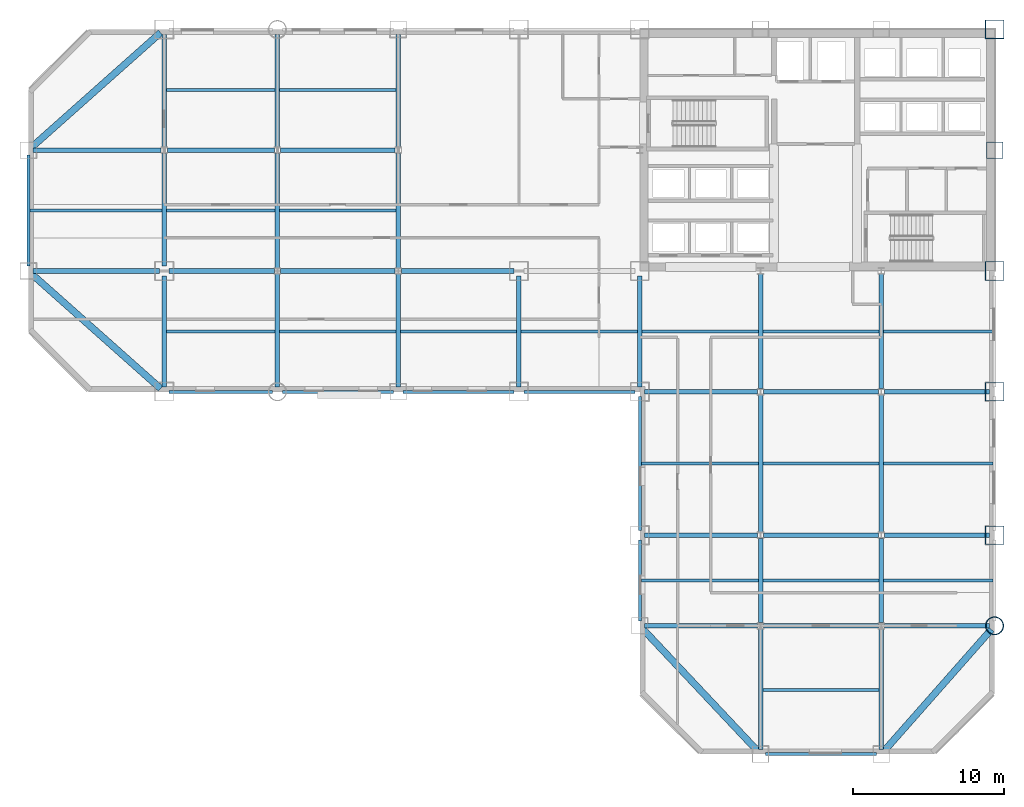
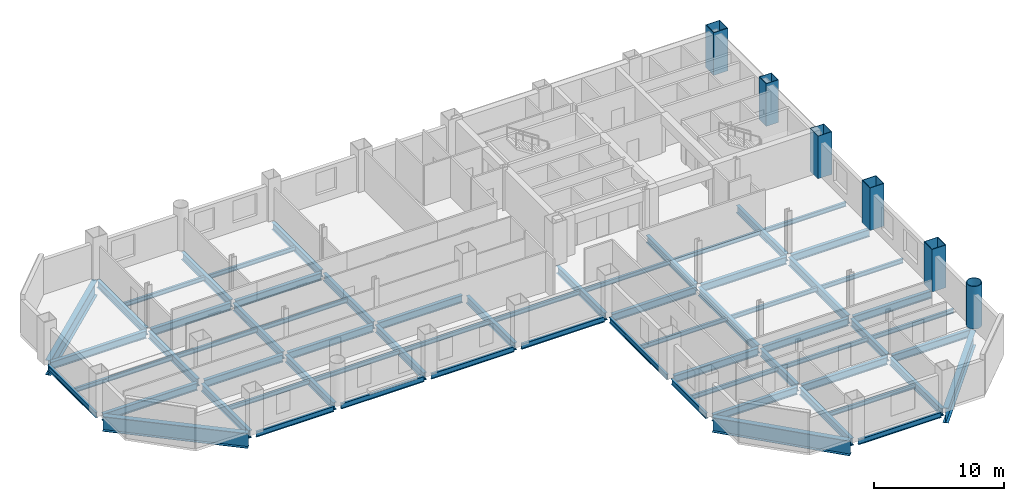
# One storey, part 3 of 9: 66 beams, 6 columns.
"""IFC4 building model written with IfcOpenShell, lengths in metres."""

from ifc_helpers import new_model, si_unit, direction, frame, origin, origin_2d, place, context, subcontext, project, spatial, hollow_rectangle, hollow_circle, i_section, extrude, material, material_profile, profile_set, type_object, element, save


model = new_model("IFC4")

# Units and contexts
model_context = context("Model", 3, precision=1e-05, world=origin(), true_north=direction((0.0, 1.0)))
body_context = subcontext(model_context, "Body", "Model", "MODEL_VIEW")
ifc_project = project(units=[si_unit("LENGTHUNIT", "METRE"), si_unit("AREAUNIT", "SQUARE_METRE"), si_unit("VOLUMEUNIT", "CUBIC_METRE"), si_unit("PLANEANGLEUNIT", "RADIAN"), si_unit("MASSUNIT", "GRAM", prefix="KILO")], contexts=[model_context])

# Site, building, storey
site_placement = place(None, origin())
site = spatial("IfcSite", under=ifc_project, at=site_placement, CompositionType="ELEMENT")
building_placement = place(site_placement, origin())
building = spatial("IfcBuilding", under=site, at=building_placement, Name="Qianrong Seaharbour Tower", CompositionType="ELEMENT")
storey_placement = place(building_placement, frame((0.0, 0.0, 44.199951171875)))
storey = spatial("IfcBuildingStorey", under=building, at=storey_placement, Name="L10", CompositionType="ELEMENT", Elevation=44.199951171875)

# Columns
ifc_material_1 = material(Name="Structural steel SN490B", Category="steel")
ifc_material_profile_1 = material_profile(ifc_material_1, hollow_rectangle(XDim=1.25, YDim=1.25, WallThickness=0.044921875, at=origin_2d()), Name="BOX1250x1250x45")
ifc_profile_set_1 = profile_set([ifc_material_profile_1], Name="Structural steel SN490B")
column_type_1 = type_object("IfcColumnType", Name="COL-CFT-1250", PredefinedType="COLUMN", material=ifc_profile_set_1)
for number, where, z_axis, x_axis, name in (
    (1, (64.0, 18.5, 0.0), (0.0, 0.0, 1.0), (1.0, 0.0, 0.0), "L10 Column MC-2 at G9/GD"),
    (2, (64.0, 28.0, 0.0), (0.0, 0.0, 1.0), (1.0, 0.0, 0.0), "L10 Column MC-2 at G9/GE"),
    (3, (64.0, 36.0, 0.0), (0.0, 0.0, 1.0), (1.0, 0.0, 0.0), "L10 Column MC-2 at G9/GF"),
    (4, (64.0, 52.0, 0.0), (0.0, 0.0, 1.0), (1.0, 0.0, 0.0), "L10 Column MC-2 at G9/GH"),
):
    element("IfcColumn", number, at=place(storey_placement, frame(where, z_axis=z_axis, x_axis=x_axis)), inside=storey, type_object=column_type_1, Name=name, PredefinedType="COLUMN", context=body_context, shape_type="SweptSolid", body=[
        extrude(hollow_rectangle(XDim=1.25, YDim=1.25, WallThickness=0.044921875, at=origin_2d()), origin(), (0.0, 0.0, 1.0), 4.0),
    ])
ifc_material_profile_2 = material_profile(ifc_material_1, hollow_circle(Radius=0.60009765625, WallThickness=0.0400390625, at=origin_2d()), Name="CHS1200x40")
ifc_profile_set_2 = profile_set([ifc_material_profile_2], Name="Structural steel SN490B")
column_type_2 = type_object("IfcColumnType", Name="COL-CHS-1200", PredefinedType="COLUMN", material=ifc_profile_set_2)
column_1_placement = place(storey_placement, frame((64.0, 12.5, 0.0), z_axis=(0.0, 0.0, 1.0), x_axis=(1.0, 0.0, 0.0)))
element("IfcColumn", 5, at=column_1_placement, inside=storey, type_object=column_type_2, Name="L10 Column CC-1 at G9/GC", PredefinedType="COLUMN", context=body_context, shape_type="SweptSolid", body=[
    extrude(hollow_circle(Radius=0.60009765625, WallThickness=0.0400390625, at=origin_2d()), origin(), (0.0, 0.0, 1.0), 4.0),
])
ifc_material_profile_3 = material_profile(ifc_material_1, hollow_rectangle(XDim=1.10009765625, YDim=1.10009765625, WallThickness=0.0400390625, at=origin_2d()), Name="BOX1100x1100x40")
ifc_profile_set_3 = profile_set([ifc_material_profile_3], Name="Structural steel SN490B")
column_type_3 = type_object("IfcColumnType", Name="COL-PER-1100", PredefinedType="COLUMN", material=ifc_profile_set_3)
column_2_placement = place(storey_placement, frame((64.0, 44.0, 0.0), z_axis=(0.0, 0.0, 1.0), x_axis=(1.0, 0.0, 0.0)))
element("IfcColumn", 6, at=column_2_placement, inside=storey, type_object=column_type_3, Name="L10 Column PC-1 at G9/GG", PredefinedType="COLUMN", context=body_context, shape_type="SweptSolid", body=[
    extrude(hollow_rectangle(XDim=1.10009765625, YDim=1.10009765625, WallThickness=0.0400390625, at=origin_2d()), origin(), (0.0, 0.0, 1.0), 4.0),
])

# Beams
ifc_material_profile_4 = material_profile(ifc_material_1, i_section(OverallWidth=0.300048828125, OverallDepth=0.699951171875, WebThickness=0.012939453125, FlangeThickness=0.02392578125, FilletRadius=0.02587890625, at=origin_2d()), Name="H700x300x13x24")
ifc_profile_set_4 = profile_set([ifc_material_profile_4], Name="Structural steel SN490B")
beam_type_1 = type_object("IfcBeamType", Name="BM-G-700", PredefinedType="BEAM", material=ifc_profile_set_4)
beam_1_placement = place(storey_placement, frame((40.820068359375, 12.5, -0.599853515625), z_axis=(1.0, 0.0, 0.0), x_axis=(0.0, 1.0, 0.0)))
element("IfcBeam", 7, at=beam_1_placement, inside=storey, type_object=beam_type_1, Name="L10 Primary Girder GC G6-G7", PredefinedType="BEAM", context=body_context, shape_type="SweptSolid", body=[
    extrude(i_section(OverallWidth=0.300048828125, OverallDepth=0.699951171875, WebThickness=0.012939453125, FlangeThickness=0.02392578125, FilletRadius=0.02587890625, at=origin_2d()), origin(), (0.0, 0.0, 1.0), 7.476318359375),
])
beam_2_placement = place(storey_placement, frame((48.70361328125, 12.5, -0.599853515625), z_axis=(1.0, 0.0, 0.0), x_axis=(0.0, 1.0, 0.0)))
element("IfcBeam", 8, at=beam_2_placement, inside=storey, type_object=beam_type_1, Name="L10 Primary Girder GC G7-G8", PredefinedType="BEAM", context=body_context, shape_type="SweptSolid", body=[
    extrude(i_section(OverallWidth=0.300048828125, OverallDepth=0.699951171875, WebThickness=0.012939453125, FlangeThickness=0.02392578125, FilletRadius=0.02587890625, at=origin_2d()), origin(), (0.0, 0.0, 1.0), 7.5927734375),
])
beam_3_placement = place(storey_placement, frame((56.70361328125, 12.5, -0.599853515625), z_axis=(1.0, 0.0, 0.0), x_axis=(0.0, 1.0, 0.0)))
element("IfcBeam", 9, at=beam_3_placement, inside=storey, type_object=beam_type_1, Name="L10 Primary Girder GC G8-G9", PredefinedType="BEAM", context=body_context, shape_type="SweptSolid", body=[
    extrude(i_section(OverallWidth=0.300048828125, OverallDepth=0.699951171875, WebThickness=0.012939453125, FlangeThickness=0.02392578125, FilletRadius=0.02587890625, at=origin_2d()), origin(), (0.0, 0.0, 1.0), 6.976318359375),
])
beam_4_placement = place(storey_placement, frame((40.820068359375, 18.5, -0.599853515625), z_axis=(1.0, 0.0, 0.0), x_axis=(0.0, 1.0, 0.0)))
element("IfcBeam", 10, at=beam_4_placement, inside=storey, type_object=beam_type_1, Name="L10 Primary Girder GD G6-G7", PredefinedType="BEAM", context=body_context, shape_type="SweptSolid", body=[
    extrude(i_section(OverallWidth=0.300048828125, OverallDepth=0.699951171875, WebThickness=0.012939453125, FlangeThickness=0.02392578125, FilletRadius=0.02587890625, at=origin_2d()), origin(), (0.0, 0.0, 1.0), 7.476318359375),
])
beam_5_placement = place(storey_placement, frame((48.70361328125, 18.5, -0.599853515625), z_axis=(1.0, 0.0, 0.0), x_axis=(0.0, 1.0, 0.0)))
element("IfcBeam", 11, at=beam_5_placement, inside=storey, type_object=beam_type_1, Name="L10 Primary Girder GD G7-G8", PredefinedType="BEAM", context=body_context, shape_type="SweptSolid", body=[
    extrude(i_section(OverallWidth=0.300048828125, OverallDepth=0.699951171875, WebThickness=0.012939453125, FlangeThickness=0.02392578125, FilletRadius=0.02587890625, at=origin_2d()), origin(), (0.0, 0.0, 1.0), 7.5927734375),
])
beam_6_placement = place(storey_placement, frame((56.70361328125, 18.5, -0.599853515625), z_axis=(1.0, 0.0, 0.0), x_axis=(0.0, 1.0, 0.0)))
element("IfcBeam", 12, at=beam_6_placement, inside=storey, type_object=beam_type_1, Name="L10 Primary Girder GD G8-G9", PredefinedType="BEAM", context=body_context, shape_type="SweptSolid", body=[
    extrude(i_section(OverallWidth=0.300048828125, OverallDepth=0.699951171875, WebThickness=0.012939453125, FlangeThickness=0.02392578125, FilletRadius=0.02587890625, at=origin_2d()), origin(), (0.0, 0.0, 1.0), 6.976318359375),
])
beam_7_placement = place(storey_placement, frame((40.820068359375, 28.0, -0.599853515625), z_axis=(1.0, 0.0, 0.0), x_axis=(0.0, 1.0, 0.0)))
element("IfcBeam", 13, at=beam_7_placement, inside=storey, type_object=beam_type_1, Name="L10 Primary Girder GE G6-G7", PredefinedType="BEAM", context=body_context, shape_type="SweptSolid", body=[
    extrude(i_section(OverallWidth=0.300048828125, OverallDepth=0.699951171875, WebThickness=0.012939453125, FlangeThickness=0.02392578125, FilletRadius=0.02587890625, at=origin_2d()), origin(), (0.0, 0.0, 1.0), 7.476318359375),
])
beam_8_placement = place(storey_placement, frame((48.70361328125, 28.0, -0.599853515625), z_axis=(1.0, 0.0, 0.0), x_axis=(0.0, 1.0, 0.0)))
element("IfcBeam", 14, at=beam_8_placement, inside=storey, type_object=beam_type_1, Name="L10 Primary Girder GE G7-G8", PredefinedType="BEAM", context=body_context, shape_type="SweptSolid", body=[
    extrude(i_section(OverallWidth=0.300048828125, OverallDepth=0.699951171875, WebThickness=0.012939453125, FlangeThickness=0.02392578125, FilletRadius=0.02587890625, at=origin_2d()), origin(), (0.0, 0.0, 1.0), 7.5927734375),
])
beam_9_placement = place(storey_placement, frame((56.70361328125, 28.0, -0.599853515625), z_axis=(1.0, 0.0, 0.0), x_axis=(0.0, 1.0, 0.0)))
element("IfcBeam", 15, at=beam_9_placement, inside=storey, type_object=beam_type_1, Name="L10 Primary Girder GE G8-G9", PredefinedType="BEAM", context=body_context, shape_type="SweptSolid", body=[
    extrude(i_section(OverallWidth=0.300048828125, OverallDepth=0.699951171875, WebThickness=0.012939453125, FlangeThickness=0.02392578125, FilletRadius=0.02587890625, at=origin_2d()), origin(), (0.0, 0.0, 1.0), 6.976318359375),
])
beam_10_placement = place(storey_placement, frame((0.320068359375, 36.0, -0.599853515625), z_axis=(1.0, 0.0, 0.0), x_axis=(0.0, 1.0, 0.0)))
element("IfcBeam", 16, at=beam_10_placement, inside=storey, type_object=beam_type_1, Name="L10 Primary Girder GF G1-G2", PredefinedType="BEAM", context=body_context, shape_type="SweptSolid", body=[
    extrude(i_section(OverallWidth=0.300048828125, OverallDepth=0.699951171875, WebThickness=0.012939453125, FlangeThickness=0.02392578125, FilletRadius=0.02587890625, at=origin_2d()), origin(), (0.0, 0.0, 1.0), 8.35986328125),
])
beam_11_placement = place(storey_placement, frame((9.320068359375, 36.0, -0.599853515625), z_axis=(1.0, 0.0, 0.0), x_axis=(0.0, 1.0, 0.0)))
element("IfcBeam", 17, at=beam_11_placement, inside=storey, type_object=beam_type_1, Name="L10 Primary Girder GF G2-G3", PredefinedType="BEAM", context=body_context, shape_type="SweptSolid", body=[
    extrude(i_section(OverallWidth=0.300048828125, OverallDepth=0.699951171875, WebThickness=0.012939453125, FlangeThickness=0.02392578125, FilletRadius=0.02587890625, at=origin_2d()), origin(), (0.0, 0.0, 1.0), 6.976318359375),
])
beam_12_placement = place(storey_placement, frame((16.70361328125, 36.0, -0.599853515625), z_axis=(1.0, 0.0, 0.0), x_axis=(0.0, 1.0, 0.0)))
element("IfcBeam", 18, at=beam_12_placement, inside=storey, type_object=beam_type_1, Name="L10 Primary Girder GF G3-G4", PredefinedType="BEAM", context=body_context, shape_type="SweptSolid", body=[
    extrude(i_section(OverallWidth=0.300048828125, OverallDepth=0.699951171875, WebThickness=0.012939453125, FlangeThickness=0.02392578125, FilletRadius=0.02587890625, at=origin_2d()), origin(), (0.0, 0.0, 1.0), 7.5927734375),
])
beam_13_placement = place(storey_placement, frame((24.70361328125, 36.0, -0.599853515625), z_axis=(1.0, 0.0, 0.0), x_axis=(0.0, 1.0, 0.0)))
element("IfcBeam", 19, at=beam_13_placement, inside=storey, type_object=beam_type_1, Name="L10 Primary Girder GF G4-G5", PredefinedType="BEAM", context=body_context, shape_type="SweptSolid", body=[
    extrude(i_section(OverallWidth=0.300048828125, OverallDepth=0.699951171875, WebThickness=0.012939453125, FlangeThickness=0.02392578125, FilletRadius=0.02587890625, at=origin_2d()), origin(), (0.0, 0.0, 1.0), 7.476318359375),
])
beam_14_placement = place(storey_placement, frame((0.320068359375, 44.0, -0.599853515625), z_axis=(1.0, 0.0, 0.0), x_axis=(0.0, 1.0, 0.0)))
element("IfcBeam", 20, at=beam_14_placement, inside=storey, type_object=beam_type_1, Name="L10 Primary Girder GG G1-G2", PredefinedType="BEAM", context=body_context, shape_type="SweptSolid", body=[
    extrude(i_section(OverallWidth=0.300048828125, OverallDepth=0.699951171875, WebThickness=0.012939453125, FlangeThickness=0.02392578125, FilletRadius=0.02587890625, at=origin_2d()), origin(), (0.0, 0.0, 1.0), 8.476318359375),
])
beam_15_placement = place(storey_placement, frame((9.20361328125, 44.0, -0.599853515625), z_axis=(1.0, 0.0, 0.0), x_axis=(0.0, 1.0, 0.0)))
element("IfcBeam", 21, at=beam_15_placement, inside=storey, type_object=beam_type_1, Name="L10 Primary Girder GG G2-G3", PredefinedType="BEAM", context=body_context, shape_type="SweptSolid", body=[
    extrude(i_section(OverallWidth=0.300048828125, OverallDepth=0.699951171875, WebThickness=0.012939453125, FlangeThickness=0.02392578125, FilletRadius=0.02587890625, at=origin_2d()), origin(), (0.0, 0.0, 1.0), 7.0927734375),
])
beam_16_placement = place(storey_placement, frame((16.70361328125, 44.0, -0.599853515625), z_axis=(1.0, 0.0, 0.0), x_axis=(0.0, 1.0, 0.0)))
element("IfcBeam", 22, at=beam_16_placement, inside=storey, type_object=beam_type_1, Name="L10 Primary Girder GG G3-G4", PredefinedType="BEAM", context=body_context, shape_type="SweptSolid", body=[
    extrude(i_section(OverallWidth=0.300048828125, OverallDepth=0.699951171875, WebThickness=0.012939453125, FlangeThickness=0.02392578125, FilletRadius=0.02587890625, at=origin_2d()), origin(), (0.0, 0.0, 1.0), 7.5927734375),
])
beam_17_placement = place(storey_placement, frame((9.0, 28.320068359375, -0.599853515625), z_axis=(0.0, 1.0, 0.0), x_axis=(-1.0, 0.0, 0.0)))
element("IfcBeam", 23, at=beam_17_placement, inside=storey, type_object=beam_type_1, Name="L10 Primary Girder G2 GE-GF", PredefinedType="BEAM", context=body_context, shape_type="SweptSolid", body=[
    extrude(i_section(OverallWidth=0.300048828125, OverallDepth=0.699951171875, WebThickness=0.012939453125, FlangeThickness=0.02392578125, FilletRadius=0.02587890625, at=origin_2d()), origin(), (0.0, 0.0, 1.0), 7.35986328125),
])
for number, where, z_axis, x_axis, name in (
    (24, (9.0, 36.320068359375, -0.599853515625), (0.0, 1.0, 0.0), (-1.0, 0.0, 0.0), "L10 Primary Girder G2 GF-GG"),
    (25, (9.0, 44.214111328125, -0.599853515625), (0.0, 1.0, 0.0), (-1.0, 0.0, 0.0), "L10 Primary Girder G2 GG-GH"),
    (26, (16.5, 28.320068359375, -0.599853515625), (0.0, 1.0, 0.0), (-1.0, 0.0, 0.0), "L10 Primary Girder G3 GE-GF"),
):
    element("IfcBeam", number, at=place(storey_placement, frame(where, z_axis=z_axis, x_axis=x_axis)), inside=storey, type_object=beam_type_1, Name=name, PredefinedType="BEAM", context=body_context, shape_type="SweptSolid", body=[
        extrude(i_section(OverallWidth=0.300048828125, OverallDepth=0.699951171875, WebThickness=0.012939453125, FlangeThickness=0.02392578125, FilletRadius=0.02587890625, at=origin_2d()), origin(), (0.0, 0.0, 1.0), 7.4658203125),
    ])
beam_18_placement = place(storey_placement, frame((16.5, 36.214111328125, -0.599853515625), z_axis=(0.0, 1.0, 0.0), x_axis=(-1.0, 0.0, 0.0)))
element("IfcBeam", 27, at=beam_18_placement, inside=storey, type_object=beam_type_1, Name="L10 Primary Girder G3 GF-GG", PredefinedType="BEAM", context=body_context, shape_type="SweptSolid", body=[
    extrude(i_section(OverallWidth=0.300048828125, OverallDepth=0.699951171875, WebThickness=0.012939453125, FlangeThickness=0.02392578125, FilletRadius=0.02587890625, at=origin_2d()), origin(), (0.0, 0.0, 1.0), 7.57177734375),
])
for number, where, z_axis, x_axis, name in (
    (28, (16.5, 44.214111328125, -0.599853515625), (0.0, 1.0, 0.0), (-1.0, 0.0, 0.0), "L10 Primary Girder G3 GG-GH"),
    (29, (24.5, 28.320068359375, -0.599853515625), (0.0, 1.0, 0.0), (-1.0, 0.0, 0.0), "L10 Primary Girder G4 GE-GF"),
):
    element("IfcBeam", number, at=place(storey_placement, frame(where, z_axis=z_axis, x_axis=x_axis)), inside=storey, type_object=beam_type_1, Name=name, PredefinedType="BEAM", context=body_context, shape_type="SweptSolid", body=[
        extrude(i_section(OverallWidth=0.300048828125, OverallDepth=0.699951171875, WebThickness=0.012939453125, FlangeThickness=0.02392578125, FilletRadius=0.02587890625, at=origin_2d()), origin(), (0.0, 0.0, 1.0), 7.4658203125),
    ])
beam_19_placement = place(storey_placement, frame((24.5, 36.214111328125, -0.599853515625), z_axis=(0.0, 1.0, 0.0), x_axis=(-1.0, 0.0, 0.0)))
element("IfcBeam", 30, at=beam_19_placement, inside=storey, type_object=beam_type_1, Name="L10 Primary Girder G4 GF-GG", PredefinedType="BEAM", context=body_context, shape_type="SweptSolid", body=[
    extrude(i_section(OverallWidth=0.300048828125, OverallDepth=0.699951171875, WebThickness=0.012939453125, FlangeThickness=0.02392578125, FilletRadius=0.02587890625, at=origin_2d()), origin(), (0.0, 0.0, 1.0), 7.57177734375),
])
beam_20_placement = place(storey_placement, frame((24.5, 44.214111328125, -0.599853515625), z_axis=(0.0, 1.0, 0.0), x_axis=(-1.0, 0.0, 0.0)))
element("IfcBeam", 31, at=beam_20_placement, inside=storey, type_object=beam_type_1, Name="L10 Primary Girder G4 GG-GH", PredefinedType="BEAM", context=body_context, shape_type="SweptSolid", body=[
    extrude(i_section(OverallWidth=0.300048828125, OverallDepth=0.699951171875, WebThickness=0.012939453125, FlangeThickness=0.02392578125, FilletRadius=0.02587890625, at=origin_2d()), origin(), (0.0, 0.0, 1.0), 7.4658203125),
])
for number, where, z_axis, x_axis, name in (
    (32, (32.5, 28.320068359375, -0.599853515625), (0.0, 1.0, 0.0), (-1.0, 0.0, 0.0), "L10 Primary Girder G5 GE-GF"),
    (33, (40.5, 28.320068359375, -0.599853515625), (0.0, 1.0, 0.0), (-1.0, 0.0, 0.0), "L10 Primary Girder G6 GE-GF"),
):
    element("IfcBeam", number, at=place(storey_placement, frame(where, z_axis=z_axis, x_axis=x_axis)), inside=storey, type_object=beam_type_1, Name=name, PredefinedType="BEAM", context=body_context, shape_type="SweptSolid", body=[
        extrude(i_section(OverallWidth=0.300048828125, OverallDepth=0.699951171875, WebThickness=0.012939453125, FlangeThickness=0.02392578125, FilletRadius=0.02587890625, at=origin_2d()), origin(), (0.0, 0.0, 1.0), 7.35986328125),
    ])
beam_21_placement = place(storey_placement, frame((48.5, 4.320068359375, -0.599853515625), z_axis=(0.0, 1.0, 0.0), x_axis=(-1.0, 0.0, 0.0)))
element("IfcBeam", 34, at=beam_21_placement, inside=storey, type_object=beam_type_1, Name="L10 Primary Girder G7 GB-GC", PredefinedType="BEAM", context=body_context, shape_type="SweptSolid", body=[
    extrude(i_section(OverallWidth=0.300048828125, OverallDepth=0.699951171875, WebThickness=0.012939453125, FlangeThickness=0.02392578125, FilletRadius=0.02587890625, at=origin_2d()), origin(), (0.0, 0.0, 1.0), 7.9658203125),
])
beam_22_placement = place(storey_placement, frame((48.5, 12.714111328125, -0.599853515625), z_axis=(0.0, 1.0, 0.0), x_axis=(-1.0, 0.0, 0.0)))
element("IfcBeam", 35, at=beam_22_placement, inside=storey, type_object=beam_type_1, Name="L10 Primary Girder G7 GC-GD", PredefinedType="BEAM", context=body_context, shape_type="SweptSolid", body=[
    extrude(i_section(OverallWidth=0.300048828125, OverallDepth=0.699951171875, WebThickness=0.012939453125, FlangeThickness=0.02392578125, FilletRadius=0.02587890625, at=origin_2d()), origin(), (0.0, 0.0, 1.0), 5.57177734375),
])
beam_23_placement = place(storey_placement, frame((48.5, 28.214111328125, -0.599853515625), z_axis=(0.0, 1.0, 0.0), x_axis=(-1.0, 0.0, 0.0)))
element("IfcBeam", 36, at=beam_23_placement, inside=storey, type_object=beam_type_1, Name="L10 Primary Girder G7 GE-GF", PredefinedType="BEAM", context=body_context, shape_type="SweptSolid", body=[
    extrude(i_section(OverallWidth=0.300048828125, OverallDepth=0.699951171875, WebThickness=0.012939453125, FlangeThickness=0.02392578125, FilletRadius=0.02587890625, at=origin_2d()), origin(), (0.0, 0.0, 1.0), 7.57177734375),
])
beam_24_placement = place(storey_placement, frame((56.5, 4.320068359375, -0.599853515625), z_axis=(0.0, 1.0, 0.0), x_axis=(-1.0, 0.0, 0.0)))
element("IfcBeam", 37, at=beam_24_placement, inside=storey, type_object=beam_type_1, Name="L10 Primary Girder G8 GB-GC", PredefinedType="BEAM", context=body_context, shape_type="SweptSolid", body=[
    extrude(i_section(OverallWidth=0.300048828125, OverallDepth=0.699951171875, WebThickness=0.012939453125, FlangeThickness=0.02392578125, FilletRadius=0.02587890625, at=origin_2d()), origin(), (0.0, 0.0, 1.0), 7.9658203125),
])
beam_25_placement = place(storey_placement, frame((56.5, 12.714111328125, -0.599853515625), z_axis=(0.0, 1.0, 0.0), x_axis=(-1.0, 0.0, 0.0)))
element("IfcBeam", 38, at=beam_25_placement, inside=storey, type_object=beam_type_1, Name="L10 Primary Girder G8 GC-GD", PredefinedType="BEAM", context=body_context, shape_type="SweptSolid", body=[
    extrude(i_section(OverallWidth=0.300048828125, OverallDepth=0.699951171875, WebThickness=0.012939453125, FlangeThickness=0.02392578125, FilletRadius=0.02587890625, at=origin_2d()), origin(), (0.0, 0.0, 1.0), 5.57177734375),
])
beam_26_placement = place(storey_placement, frame((56.5, 28.214111328125, -0.599853515625), z_axis=(0.0, 1.0, 0.0), x_axis=(-1.0, 0.0, 0.0)))
element("IfcBeam", 39, at=beam_26_placement, inside=storey, type_object=beam_type_1, Name="L10 Primary Girder G8 GE-GF", PredefinedType="BEAM", context=body_context, shape_type="SweptSolid", body=[
    extrude(i_section(OverallWidth=0.300048828125, OverallDepth=0.699951171875, WebThickness=0.012939453125, FlangeThickness=0.02392578125, FilletRadius=0.02587890625, at=origin_2d()), origin(), (0.0, 0.0, 1.0), 7.57177734375),
])
ifc_material_profile_5 = material_profile(ifc_material_1, i_section(OverallWidth=0.300048828125, OverallDepth=0.800048828125, WebThickness=0.013916015625, FlangeThickness=0.02587890625, FilletRadius=0.028076171875, at=origin_2d()), Name="H800x300x14x26")
ifc_profile_set_5 = profile_set([ifc_material_profile_5], Name="Structural steel SN490B")
beam_type_2 = type_object("IfcBeamType", Name="BM-G-800", PredefinedType="BEAM", material=ifc_profile_set_5)
for number, where, z_axis, x_axis, name in (
    (40, (48.5, 18.714111328125, -0.64990234375), (0.0, 1.0, 0.0), (-1.0, 0.0, 0.0), "L10 Primary Girder G7 GD-GE"),
    (41, (56.5, 18.714111328125, -0.64990234375), (0.0, 1.0, 0.0), (-1.0, 0.0, 0.0), "L10 Primary Girder G8 GD-GE"),
):
    element("IfcBeam", number, at=place(storey_placement, frame(where, z_axis=z_axis, x_axis=x_axis)), inside=storey, type_object=beam_type_2, Name=name, PredefinedType="BEAM", context=body_context, shape_type="SweptSolid", body=[
        extrude(i_section(OverallWidth=0.300048828125, OverallDepth=0.800048828125, WebThickness=0.013916015625, FlangeThickness=0.02587890625, FilletRadius=0.028076171875, at=origin_2d()), origin(), (0.0, 0.0, 1.0), 9.07177734375),
    ])
ifc_material_2 = material(Name="Structural steel SN400B", Category="steel")
ifc_material_profile_6 = material_profile(ifc_material_2, i_section(OverallWidth=0.199951171875, OverallDepth=0.39990234375, WebThickness=0.008056640625, FlangeThickness=0.012939453125, FilletRadius=0.01611328125, at=origin_2d()), Name="H400x200x8x13")
ifc_profile_set_6 = profile_set([ifc_material_profile_6], Name="Structural steel SN400B")
beam_type_3 = type_object("IfcBeamType", Name="BM-J-400", PredefinedType="JOIST", material=ifc_profile_set_6)
beam_27_placement = place(storey_placement, frame((0.10009765625, 40.0, -0.449951171875), z_axis=(1.0, 0.0, 0.0), x_axis=(0.0, 1.0, 0.0)))
element("IfcBeam", 42, at=beam_27_placement, inside=storey, type_object=beam_type_3, Name="L10 Composite Floor Joist G1-G2/GF-GG", PredefinedType="JOIST", context=body_context, shape_type="SweptSolid", body=[
    extrude(i_section(OverallWidth=0.199951171875, OverallDepth=0.39990234375, WebThickness=0.008056640625, FlangeThickness=0.012939453125, FilletRadius=0.01611328125, at=origin_2d()), origin(), (0.0, 0.0, 1.0), 8.75),
])
for number, where, z_axis, x_axis, name in (
    (43, (9.14990234375, 32.0, -0.449951171875), (1.0, 0.0, 0.0), (0.0, 1.0, 0.0), "L10 Composite Floor Joist G2-G3/GE-GF"),
    (44, (9.14990234375, 40.0, -0.449951171875), (1.0, 0.0, 0.0), (0.0, 1.0, 0.0), "L10 Composite Floor Joist G2-G3/GF-GG"),
    (45, (9.14990234375, 48.0, -0.449951171875), (1.0, 0.0, 0.0), (0.0, 1.0, 0.0), "L10 Composite Floor Joist G2-G3/GG-GH"),
):
    element("IfcBeam", number, at=place(storey_placement, frame(where, z_axis=z_axis, x_axis=x_axis)), inside=storey, type_object=beam_type_3, Name=name, PredefinedType="JOIST", context=body_context, shape_type="SweptSolid", body=[
        extrude(i_section(OverallWidth=0.199951171875, OverallDepth=0.39990234375, WebThickness=0.008056640625, FlangeThickness=0.012939453125, FilletRadius=0.01611328125, at=origin_2d()), origin(), (0.0, 0.0, 1.0), 7.2001953125),
    ])
for number, where, z_axis, x_axis, name in (
    (46, (16.64990234375, 32.0, -0.449951171875), (1.0, 0.0, 0.0), (0.0, 1.0, 0.0), "L10 Composite Floor Joist G3-G4/GE-GF"),
    (47, (16.64990234375, 40.0, -0.449951171875), (1.0, 0.0, 0.0), (0.0, 1.0, 0.0), "L10 Composite Floor Joist G3-G4/GF-GG"),
    (48, (16.64990234375, 48.0, -0.449951171875), (1.0, 0.0, 0.0), (0.0, 1.0, 0.0), "L10 Composite Floor Joist G3-G4/GG-GH"),
    (49, (24.64990234375, 32.0, -0.449951171875), (1.0, 0.0, 0.0), (0.0, 1.0, 0.0), "L10 Composite Floor Joist G4-G5/GE-GF"),
    (50, (32.64990234375, 32.0, -0.449951171875), (1.0, 0.0, 0.0), (0.0, 1.0, 0.0), "L10 Composite Floor Joist G5-G6/GE-GF"),
):
    element("IfcBeam", number, at=place(storey_placement, frame(where, z_axis=z_axis, x_axis=x_axis)), inside=storey, type_object=beam_type_3, Name=name, PredefinedType="JOIST", context=body_context, shape_type="SweptSolid", body=[
        extrude(i_section(OverallWidth=0.199951171875, OverallDepth=0.39990234375, WebThickness=0.008056640625, FlangeThickness=0.012939453125, FilletRadius=0.01611328125, at=origin_2d()), origin(), (0.0, 0.0, 1.0), 7.7001953125),
    ])
for number, where, z_axis, x_axis, name in (
    (51, (40.60009765625, 15.5, -0.449951171875), (1.0, 0.0, 0.0), (0.0, 1.0, 0.0), "L10 Composite Floor Joist G6-G7/GC-GD"),
    (52, (40.60009765625, 23.25, -0.449951171875), (1.0, 0.0, 0.0), (0.0, 1.0, 0.0), "L10 Composite Floor Joist G6-G7/GD-GE"),
):
    element("IfcBeam", number, at=place(storey_placement, frame(where, z_axis=z_axis, x_axis=x_axis)), inside=storey, type_object=beam_type_3, Name=name, PredefinedType="JOIST", context=body_context, shape_type="SweptSolid", body=[
        extrude(i_section(OverallWidth=0.199951171875, OverallDepth=0.39990234375, WebThickness=0.008056640625, FlangeThickness=0.012939453125, FilletRadius=0.01611328125, at=origin_2d()), origin(), (0.0, 0.0, 1.0), 7.75),
    ])
for number, where, z_axis, x_axis, name in (
    (53, (40.64990234375, 32.0, -0.449951171875), (1.0, 0.0, 0.0), (0.0, 1.0, 0.0), "L10 Composite Floor Joist G6-G7/GE-GF"),
    (54, (48.64990234375, 8.25, -0.449951171875), (1.0, 0.0, 0.0), (0.0, 1.0, 0.0), "L10 Composite Floor Joist G7-G8/GB-GC"),
    (55, (48.64990234375, 15.5, -0.449951171875), (1.0, 0.0, 0.0), (0.0, 1.0, 0.0), "L10 Composite Floor Joist G7-G8/GC-GD"),
    (56, (48.64990234375, 23.25, -0.449951171875), (1.0, 0.0, 0.0), (0.0, 1.0, 0.0), "L10 Composite Floor Joist G7-G8/GD-GE"),
    (57, (48.64990234375, 32.0, -0.449951171875), (1.0, 0.0, 0.0), (0.0, 1.0, 0.0), "L10 Composite Floor Joist G7-G8/GE-GF"),
):
    element("IfcBeam", number, at=place(storey_placement, frame(where, z_axis=z_axis, x_axis=x_axis)), inside=storey, type_object=beam_type_3, Name=name, PredefinedType="JOIST", context=body_context, shape_type="SweptSolid", body=[
        extrude(i_section(OverallWidth=0.199951171875, OverallDepth=0.39990234375, WebThickness=0.008056640625, FlangeThickness=0.012939453125, FilletRadius=0.01611328125, at=origin_2d()), origin(), (0.0, 0.0, 1.0), 7.7001953125),
    ])
for number, where, z_axis, x_axis, name in (
    (58, (56.64990234375, 15.5, -0.449951171875), (1.0, 0.0, 0.0), (0.0, 1.0, 0.0), "L10 Composite Floor Joist G8-G9/GC-GD"),
    (59, (56.64990234375, 23.25, -0.449951171875), (1.0, 0.0, 0.0), (0.0, 1.0, 0.0), "L10 Composite Floor Joist G8-G9/GD-GE"),
    (60, (56.64990234375, 32.0, -0.449951171875), (1.0, 0.0, 0.0), (0.0, 1.0, 0.0), "L10 Composite Floor Joist G8-G9/GE-GF"),
):
    element("IfcBeam", number, at=place(storey_placement, frame(where, z_axis=z_axis, x_axis=x_axis)), inside=storey, type_object=beam_type_3, Name=name, PredefinedType="JOIST", context=body_context, shape_type="SweptSolid", body=[
        extrude(i_section(OverallWidth=0.199951171875, OverallDepth=0.39990234375, WebThickness=0.008056640625, FlangeThickness=0.012939453125, FilletRadius=0.01611328125, at=origin_2d()), origin(), (0.0, 0.0, 1.0), 7.25),
    ])
ifc_material_profile_7 = material_profile(ifc_material_1, i_section(OverallWidth=0.199951171875, OverallDepth=0.5, WebThickness=0.010009765625, FlangeThickness=0.01611328125, FilletRadius=0.02001953125, at=origin_2d()), Name="H500x200x10x16")
ifc_profile_set_7 = profile_set([ifc_material_profile_7], Name="Structural steel SN490B")
beam_type_4 = type_object("IfcBeamType", Name="BM-SP-500", PredefinedType="SPANDREL", material=ifc_profile_set_7)
beam_28_placement = place(storey_placement, frame((48.820068359375, 4.0, -0.5), z_axis=(1.0, 0.0, 0.0), x_axis=(0.0, 1.0, 0.0)))
element("IfcBeam", 61, at=beam_28_placement, inside=storey, type_object=beam_type_4, Name="L10 Spandrel Girder GB G7-G8", PredefinedType="SPANDREL", context=body_context, shape_type="SweptSolid", body=[
    extrude(i_section(OverallWidth=0.199951171875, OverallDepth=0.5, WebThickness=0.010009765625, FlangeThickness=0.01611328125, FilletRadius=0.02001953125, at=origin_2d()), origin(), (0.0, 0.0, 1.0), 7.35986328125),
])
beam_29_placement = place(storey_placement, frame((9.320068359375, 28.0, -0.5), z_axis=(1.0, 0.0, 0.0), x_axis=(0.0, 1.0, 0.0)))
element("IfcBeam", 62, at=beam_29_placement, inside=storey, type_object=beam_type_4, Name="L10 Spandrel Girder GE G2-G3", PredefinedType="SPANDREL", context=body_context, shape_type="SweptSolid", body=[
    extrude(i_section(OverallWidth=0.199951171875, OverallDepth=0.5, WebThickness=0.010009765625, FlangeThickness=0.01611328125, FilletRadius=0.02001953125, at=origin_2d()), origin(), (0.0, 0.0, 1.0), 6.85986328125),
])
for number, where, z_axis, x_axis, name in (
    (63, (16.820068359375, 28.0, -0.5), (1.0, 0.0, 0.0), (0.0, 1.0, 0.0), "L10 Spandrel Girder GE G3-G4"),
    (64, (24.820068359375, 28.0, -0.5), (1.0, 0.0, 0.0), (0.0, 1.0, 0.0), "L10 Spandrel Girder GE G4-G5"),
    (65, (32.820068359375, 28.0, -0.5), (1.0, 0.0, 0.0), (0.0, 1.0, 0.0), "L10 Spandrel Girder GE G5-G6"),
    (66, (0.0, 36.320068359375, -0.5), (0.0, 1.0, 0.0), (-1.0, 0.0, 0.0), "L10 Spandrel Girder G1 GF-GG"),
):
    element("IfcBeam", number, at=place(storey_placement, frame(where, z_axis=z_axis, x_axis=x_axis)), inside=storey, type_object=beam_type_4, Name=name, PredefinedType="SPANDREL", context=body_context, shape_type="SweptSolid", body=[
        extrude(i_section(OverallWidth=0.199951171875, OverallDepth=0.5, WebThickness=0.010009765625, FlangeThickness=0.01611328125, FilletRadius=0.02001953125, at=origin_2d()), origin(), (0.0, 0.0, 1.0), 7.35986328125),
    ])
beam_30_placement = place(storey_placement, frame((40.5, 12.820068359375, -0.5), z_axis=(0.0, 1.0, 0.0), x_axis=(-1.0, 0.0, 0.0)))
element("IfcBeam", 67, at=beam_30_placement, inside=storey, type_object=beam_type_4, Name="L10 Spandrel Girder G6 GC-GD", PredefinedType="SPANDREL", context=body_context, shape_type="SweptSolid", body=[
    extrude(i_section(OverallWidth=0.199951171875, OverallDepth=0.5, WebThickness=0.010009765625, FlangeThickness=0.01611328125, FilletRadius=0.02001953125, at=origin_2d()), origin(), (0.0, 0.0, 1.0), 5.35986328125),
])
beam_31_placement = place(storey_placement, frame((40.5, 18.820068359375, -0.5), z_axis=(0.0, 1.0, 0.0), x_axis=(-1.0, 0.0, 0.0)))
element("IfcBeam", 68, at=beam_31_placement, inside=storey, type_object=beam_type_4, Name="L10 Spandrel Girder G6 GD-GE", PredefinedType="SPANDREL", context=body_context, shape_type="SweptSolid", body=[
    extrude(i_section(OverallWidth=0.199951171875, OverallDepth=0.5, WebThickness=0.010009765625, FlangeThickness=0.01611328125, FilletRadius=0.02001953125, at=origin_2d()), origin(), (0.0, 0.0, 1.0), 8.85986328125),
])
ifc_material_profile_8 = material_profile(ifc_material_1, i_section(OverallWidth=0.449951171875, OverallDepth=1.39990234375, WebThickness=0.02197265625, FlangeThickness=0.0400390625, at=origin_2d()), Name="BH1400x450x22x40")
ifc_profile_set_8 = profile_set([ifc_material_profile_8], Name="Structural steel SN490B")
beam_type_5 = type_object("IfcBeamType", Name="BM-TG-1400", PredefinedType="BEAM", material=ifc_profile_set_8)
for number, where, z_axis, x_axis, name in (
    (69, (8.7607421875, 28.212646484375, -0.949951171875), (-0.747406955841, 0.664366497018, 0.0), (-0.664366497018, -0.747406955841, 0.0), "L10 Chamfer Corner Spandrel Girder G1/GE"),
    (70, (8.7607421875, 51.787353515625, -0.949951171875), (-0.747406955841, -0.664366497018, 0.0), (0.664366497018, -0.747406955841, 0.0), "L10 Chamfer Corner Spandrel Girder G1/GH"),
):
    element("IfcBeam", number, at=place(storey_placement, frame(where, z_axis=z_axis, x_axis=x_axis)), inside=storey, type_object=beam_type_5, Name=name, PredefinedType="BEAM", context=body_context, shape_type="SweptSolid", body=[
        extrude(i_section(OverallWidth=0.449951171875, OverallDepth=1.39990234375, WebThickness=0.02197265625, FlangeThickness=0.0400390625, at=origin_2d()), origin(), (0.0, 0.0, 1.0), 11.4013671875),
    ])
beam_32_placement = place(storey_placement, frame((48.28076171875, 4.23291015625, -0.949951171875), z_axis=(-0.685361938021, 0.728202591256, 0.0), x_axis=(-0.728202591256, -0.685361938021, 0.0)))
element("IfcBeam", 71, at=beam_32_placement, inside=storey, type_object=beam_type_5, Name="L10 Chamfer Corner Spandrel Girder G6/GB", PredefinedType="BEAM", context=body_context, shape_type="SweptSolid", body=[
    extrude(i_section(OverallWidth=0.449951171875, OverallDepth=1.39990234375, WebThickness=0.02197265625, FlangeThickness=0.0400390625, at=origin_2d()), origin(), (0.0, 0.0, 1.0), 11.032958984375),
])
beam_33_placement = place(storey_placement, frame((56.711669921875, 4.239990234375, -0.949951171875), z_axis=(0.661630696334, 0.749829861815, 0.0), x_axis=(-0.749829861815, 0.661630696334, 0.0)))
element("IfcBeam", 72, at=beam_33_placement, inside=storey, type_object=beam_type_5, Name="L10 Chamfer Corner Spandrel Girder G9/GB", PredefinedType="BEAM", context=body_context, shape_type="SweptSolid", body=[
    extrude(i_section(OverallWidth=0.449951171875, OverallDepth=1.39990234375, WebThickness=0.02197265625, FlangeThickness=0.0400390625, at=origin_2d()), origin(), (0.0, 0.0, 1.0), 10.69580078125),
])

save(model, "model.ifc")
